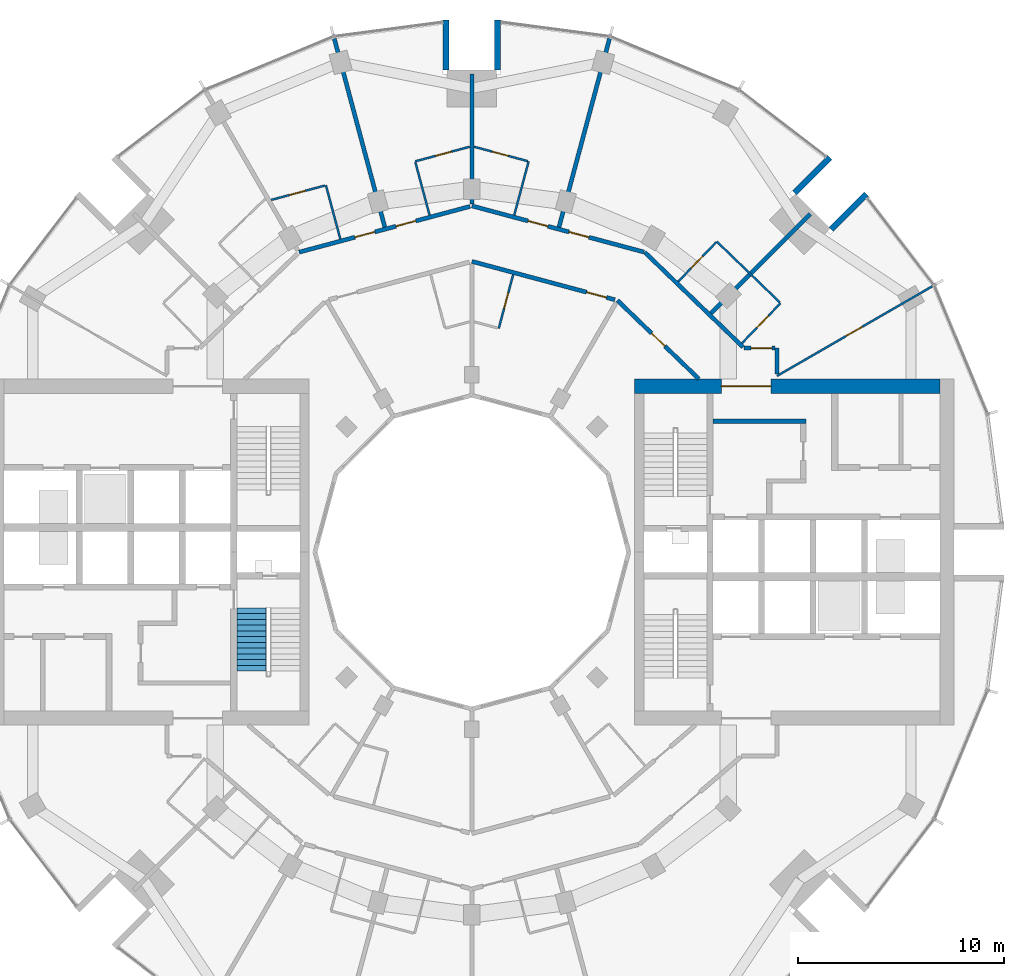
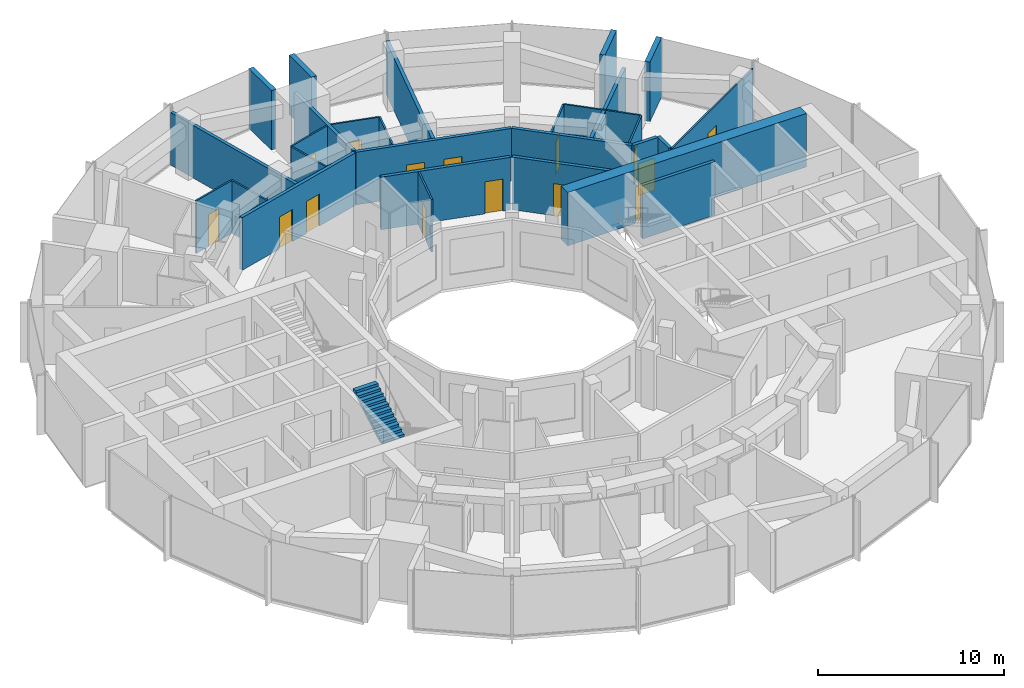
# One storey, part 12 of 15: 28 walls, 15 doors, 1 stair flight, 15 openings, 1 element without a shape of its own.
"""IFC4 building model written with IfcOpenShell, lengths in metres."""

from ifc_helpers import new_model, si_unit, direction, frame, frame_2d, origin, place, context, subcontext, project, spatial, polyline, rectangle, outline, extrude, material, layer, layer_set, type_object, element, fill, aggregate, save


model = new_model("IFC4")

# Units and contexts
model_context = context("Model", 3, precision=1e-05, world=origin(), true_north=direction((0.0, 1.0)))
body_context = subcontext(model_context, "Body", "Model", "MODEL_VIEW")
ifc_project = project(units=[si_unit("LENGTHUNIT", "METRE"), si_unit("AREAUNIT", "SQUARE_METRE"), si_unit("VOLUMEUNIT", "CUBIC_METRE"), si_unit("PLANEANGLEUNIT", "RADIAN"), si_unit("MASSUNIT", "GRAM", prefix="KILO")], contexts=[model_context])

# Site, building, storey
site_placement = place(None, origin())
site = spatial("IfcSite", under=ifc_project, at=site_placement, CompositionType="ELEMENT")
building_placement = place(site_placement, origin())
building = spatial("IfcBuilding", under=site, at=building_placement, Name="Torre Brocal", CompositionType="ELEMENT")
storey_placement = place(building_placement, frame((0.0, 0.0, 145.800048828125)))
storey = spatial("IfcBuildingStorey", under=building, at=storey_placement, Name="L34", CompositionType="ELEMENT", Elevation=145.800048828125)

# Wall
ifc_material_1 = material(Name="Concrete C70", Category="concrete")
ifc_layer_1 = layer(ifc_material_1, 0.199951171875)
ifc_layer_set_1 = layer_set([ifc_layer_1], Name="Concrete C70")
wall_type_1 = type_object("IfcWallType", Name="CORE WALL 200 C70 UNDER 400 SLAB", PredefinedType="SHEAR", material=ifc_layer_set_1)
wall_1_placement = place(storey_placement, frame((91.699951171875, 81.35009765625, 0.0), z_axis=(0.0, 0.0, 1.0), x_axis=(1.0, 0.0, 0.0)))
element("IfcWall", 1, at=wall_1_placement, inside=storey, type_object=wall_type_1, Name="Wall CW200-70-S400", PredefinedType="SHEAR", context=body_context, shape_type="SweptSolid", body=[
    extrude(rectangle(XDim=4.5, YDim=0.199951171875, at=frame_2d((2.25, 0.0))), origin(), (0.0, 0.0, 1.0), 3.5),
])

# Wall, opening, door
ifc_material_2 = material(Name="Concrete C70", Category="concrete")
ifc_layer_2 = layer(ifc_material_2, 0.699951171875)
ifc_layer_set_2 = layer_set([ifc_layer_2], Name="Concrete C70")
wall_type_2 = type_object("IfcWallType", Name="CORE WALL 700 C70 UNDER 400 SLAB", PredefinedType="SHEAR", material=ifc_layer_set_2)
wall_2_placement = place(storey_placement, frame((87.89990234375, 83.050048828125, 0.0), z_axis=(0.0, 0.0, 1.0), x_axis=(1.0, 0.0, 0.0)))
wall_2 = element("IfcWall", 2, at=wall_2_placement, inside=storey, type_object=wall_type_2, Name="Wall CW700-70-S400", PredefinedType="SHEAR", context=body_context, shape_type="SweptSolid", body=[
    extrude(rectangle(XDim=14.800048828125, YDim=0.699951171875, at=frame_2d((7.39990234375, 0.0))), origin(), (0.0, 0.0, 1.0), 3.5),
])
opening_1_placement = place(wall_2_placement, frame((4.199951171875, 0.0, 0.0)))
opening_1 = element("IfcOpeningElement", 3, at=opening_1_placement, cuts=wall_2, Name="Opening E-D24", PredefinedType="OPENING", context=body_context, shape_type="SweptSolid", body=[
    extrude(rectangle(XDim=2.39990234375, YDim=2.39990234375, at=frame_2d((1.199951171875, 1.199951171875))), frame((0.0, 0.35986328125, 0.0), z_axis=(0.0, -1.0, 0.0), x_axis=(1.0, 0.0, 0.0)), (0.0, 0.0, 1.0), 0.719970703125),
])
ifc_material_3 = material(Name="Steel A653", Category="steel")
door_type_1 = type_object("IfcDoorType", Name="DOUBLE FIRE DOOR FD90 2400X2400", OperationType="DOUBLE_DOOR_SINGLE_SWING", PredefinedType="DOOR", material=ifc_material_3)
door_1_placement = place(opening_1_placement, frame((2.39990234375, 0.0, 0.0), z_axis=(0.0, 0.0, 1.0), x_axis=(-1.0, 0.0, 0.0)))
door_1 = element("IfcDoor", 4, at=door_1_placement, inside=storey, type_object=door_type_1, Name="Door E-D24", OperationType="DOUBLE_DOOR_SINGLE_SWING", OverallHeight=2.39990234375, OverallWidth=2.39990234375, PredefinedType="DOOR", context=body_context, shape_type="SweptSolid", body=[
    extrude(rectangle(XDim=2.39990234375, YDim=2.39990234375, at=frame_2d((1.199951171875, 1.199951171875))), frame((0.0, 0.02490234375, 0.0), z_axis=(0.0, -1.0, 0.0), x_axis=(1.0, 0.0, 0.0)), (0.0, 0.0, 1.0), 0.050048828125),
])
fill(opening_1, door_1)

# Walls
ifc_material_4 = material(Name="Concrete C70", Category="concrete")
ifc_layer_3 = layer(ifc_material_4, 0.300048828125)
ifc_layer_set_3 = layer_set([ifc_layer_3], Name="Concrete C70")
wall_type_3 = type_object("IfcWallType", Name="NOTCH RETURN WALL 300 C70", PredefinedType="NOTDEFINED", material=ifc_layer_set_3)
for number, where, z_axis, x_axis, name in (
    (5, (97.43017578125, 90.662353515625, 0.0), (0.0, 0.0, 1.0), (0.707106781187, 0.707106781187, 0.0), "NOTCH RETURN WALL"),
    (6, (95.662353515625, 92.43017578125, 0.0), (0.0, 0.0, 1.0), (0.707106781187, 0.707106781187, 0.0), "NOTCH RETURN WALL"),
    (7, (81.25, 98.39990234375, 0.0), (0.0, 0.0, 1.0), (0.0, 1.0, 0.0), "NOTCH RETURN WALL"),
    (8, (78.75, 98.39990234375, 0.0), (0.0, 0.0, 1.0), (0.0, 1.0, 0.0), "NOTCH RETURN WALL"),
):
    element("IfcWall", number, at=place(storey_placement, frame(where, z_axis=z_axis, x_axis=x_axis)), inside=storey, type_object=wall_type_3, Name=name, PredefinedType="NOTDEFINED", context=body_context, shape_type="SweptSolid", body=[
        extrude(rectangle(XDim=2.415771484375, YDim=0.300048828125, at=frame_2d((1.2080078125, 0.0))), origin(), (0.0, 0.0, 1.0), 3.89990234375),
    ])

# Wall, opening, door
ifc_material_5 = material(Name="Gypsum board", Category="Gypsum")
ifc_layer_4 = layer(ifc_material_5, 0.10009765625)
ifc_layer_set_4 = layer_set([ifc_layer_4], Name="Gypsum board")
wall_type_4 = type_object("IfcWallType", Name="PARTITION 100", PredefinedType="PARTITIONING", material=ifc_layer_set_4)
wall_3_placement = place(storey_placement, frame((70.267822265625, 92.087158203125, 0.0), z_axis=(0.0, 0.0, 1.0), x_axis=(0.965937937835, 0.258773839966, 0.0)))
wall_3 = element("IfcWall", 9, at=wall_3_placement, inside=storey, type_object=wall_type_4, Name="BATHROOM WALL", PredefinedType="PARTITIONING", context=body_context, shape_type="SweptSolid", body=[
    extrude(rectangle(XDim=2.693603515625, YDim=0.10009765625, at=frame_2d((1.3466796875, 0.0))), origin(), (0.0, 0.0, 1.0), 3.449951171875),
])
opening_2_placement = place(wall_3_placement, frame((0.911865234375, 0.0, 0.0)))
opening_2 = element("IfcOpeningElement", 10, at=opening_2_placement, cuts=wall_3, Name="Opening E03-D11", PredefinedType="OPENING", context=body_context, shape_type="SweptSolid", body=[
    extrude(rectangle(XDim=0.800048828125, YDim=2.10009765625, at=frame_2d((0.39990234375, 1.050048828125))), frame((0.0, 0.06005859375, 0.0), z_axis=(0.0, -1.0, 0.0), x_axis=(1.0, 0.0, 0.0)), (0.0, 0.0, 1.0), 0.1201171875),
])
ifc_material_6 = material(Name="Timber", Category="wood")
door_type_2 = type_object("IfcDoorType", Name="BATHROOM DOOR 800X2100", OperationType="SINGLE_SWING_LEFT", PredefinedType="DOOR", material=ifc_material_6)
door_2_placement = place(opening_2_placement, frame((0.800048828125, 0.0, 0.0), z_axis=(0.0, 0.0, 1.0), x_axis=(-1.0, 0.0, 0.0)))
door_2 = element("IfcDoor", 11, at=door_2_placement, inside=storey, type_object=door_type_2, Name="E03-D11", OperationType="SINGLE_SWING_RIGHT", OverallHeight=2.10009765625, OverallWidth=0.800048828125, PredefinedType="DOOR", context=body_context, shape_type="SweptSolid", body=[
    extrude(rectangle(XDim=0.800048828125, YDim=2.10009765625, at=frame_2d((0.39990234375, 1.050048828125))), frame((0.0, 0.02490234375, 0.0), z_axis=(0.0, -1.0, 0.0), x_axis=(1.0, 0.0, 0.0)), (0.0, 0.0, 1.0), 0.050048828125),
])
fill(opening_2, door_2)

# Walls
wall_4_placement = place(storey_placement, frame((72.91796875, 92.797119140625, 0.0), z_axis=(0.0, 0.0, 1.0), x_axis=(0.25867580527, -0.965964195904, 0.0)))
element("IfcWall", 12, at=wall_4_placement, inside=storey, type_object=wall_type_4, Name="BATHROOM WALL", PredefinedType="PARTITIONING", context=body_context, shape_type="SweptSolid", body=[
    extrude(rectangle(XDim=2.69921875, YDim=0.10009765625, at=frame_2d((1.349609375, 0.0))), origin(), (0.0, 0.0, 1.0), 3.449951171875),
])
wall_5_placement = place(storey_placement, frame((77.260009765625, 93.90869140625, 0.0), z_axis=(0.0, 0.0, 1.0), x_axis=(0.258935674139, -0.965894568086, 0.0)))
element("IfcWall", 13, at=wall_5_placement, inside=storey, type_object=wall_type_4, Name="BATHROOM WALL", PredefinedType="PARTITIONING", context=body_context, shape_type="SweptSolid", body=[
    extrude(rectangle(XDim=2.6494140625, YDim=0.10009765625, at=frame_2d((1.32470703125, 0.0))), origin(), (0.0, 0.0, 1.0), 3.449951171875),
])

# Wall, opening, door
wall_6_placement = place(storey_placement, frame((77.2470703125, 93.956787109375, 0.0), z_axis=(0.0, 0.0, 1.0), x_axis=(0.965922199757, 0.258832579125, 0.0)))
wall_6 = element("IfcWall", 14, at=wall_6_placement, inside=storey, type_object=wall_type_4, Name="BATHROOM WALL", PredefinedType="PARTITIONING", context=body_context, shape_type="SweptSolid", body=[
    extrude(rectangle(XDim=2.739990234375, YDim=0.10009765625, at=frame_2d((1.3701171875, 0.0))), origin(), (0.0, 0.0, 1.0), 3.449951171875),
])
opening_3_placement = place(wall_6_placement, frame((1.025146484375, 0.0, 0.0)))
opening_3 = element("IfcOpeningElement", 15, at=opening_3_placement, cuts=wall_6, Name="Opening E03-D09", PredefinedType="OPENING", context=body_context, shape_type="SweptSolid", body=[
    extrude(rectangle(XDim=0.800048828125, YDim=2.10009765625, at=frame_2d((0.39990234375, 1.050048828125))), frame((0.0, 0.06005859375, 0.0), z_axis=(0.0, -1.0, 0.0), x_axis=(1.0, 0.0, 0.0)), (0.0, 0.0, 1.0), 0.1201171875),
])
door_3_placement = place(opening_3_placement, frame((0.800048828125, 0.0, 0.0), z_axis=(0.0, 0.0, 1.0), x_axis=(-1.0, 0.0, 0.0)))
door_3 = element("IfcDoor", 16, at=door_3_placement, inside=storey, type_object=door_type_2, Name="E03-D09", OperationType="SINGLE_SWING_LEFT", OverallHeight=2.10009765625, OverallWidth=0.800048828125, PredefinedType="DOOR", context=body_context, shape_type="SweptSolid", body=[
    extrude(rectangle(XDim=0.800048828125, YDim=2.10009765625, at=frame_2d((0.39990234375, 1.050048828125))), frame((0.0, 0.02490234375, 0.0), z_axis=(0.0, -1.0, 0.0), x_axis=(1.0, 0.0, 0.0)), (0.0, 0.0, 1.0), 0.050048828125),
])
fill(opening_3, door_3)

wall_7_placement = place(storey_placement, frame((80.106201171875, 94.66650390625, 0.0), z_axis=(0.0, 0.0, 1.0), x_axis=(0.96589821458, -0.258922071427, 0.0)))
wall_7 = element("IfcWall", 17, at=wall_7_placement, inside=storey, type_object=wall_type_4, Name="BATHROOM WALL", PredefinedType="PARTITIONING", context=body_context, shape_type="SweptSolid", body=[
    extrude(rectangle(XDim=2.690185546875, YDim=0.10009765625, at=frame_2d((1.34521484375, 0.0))), origin(), (0.0, 0.0, 1.0), 3.449951171875),
])
opening_4_placement = place(wall_7_placement, frame((0.9150390625, 0.0, 0.0)))
opening_4 = element("IfcOpeningElement", 18, at=opening_4_placement, cuts=wall_7, Name="Opening E03-D07", PredefinedType="OPENING", context=body_context, shape_type="SweptSolid", body=[
    extrude(rectangle(XDim=0.800048828125, YDim=2.10009765625, at=frame_2d((0.39990234375, 1.050048828125))), frame((0.0, 0.06005859375, 0.0), z_axis=(0.0, -1.0, 0.0), x_axis=(1.0, 0.0, 0.0)), (0.0, 0.0, 1.0), 0.1201171875),
])
door_4_placement = place(opening_4_placement, frame((0.800048828125, 0.0, 0.0), z_axis=(0.0, 0.0, 1.0), x_axis=(-1.0, 0.0, 0.0)))
door_4 = element("IfcDoor", 19, at=door_4_placement, inside=storey, type_object=door_type_2, Name="E03-D07", OperationType="SINGLE_SWING_RIGHT", OverallHeight=2.10009765625, OverallWidth=0.800048828125, PredefinedType="DOOR", context=body_context, shape_type="SweptSolid", body=[
    extrude(rectangle(XDim=0.800048828125, YDim=2.10009765625, at=frame_2d((0.39990234375, 1.050048828125))), frame((0.0, 0.02490234375, 0.0), z_axis=(0.0, -1.0, 0.0), x_axis=(1.0, 0.0, 0.0)), (0.0, 0.0, 1.0), 0.050048828125),
])
fill(opening_4, door_4)

wall_8_placement = place(storey_placement, frame((81.303955078125, 85.85595703125, 0.0), z_axis=(0.0, 0.0, 1.0), x_axis=(0.25867580527, 0.965964195904, 0.0)))
wall_8 = element("IfcWall", 20, at=wall_8_placement, inside=storey, type_object=wall_type_4, Name="BATHROOM WALL", PredefinedType="PARTITIONING", context=body_context, shape_type="SweptSolid", body=[
    extrude(rectangle(XDim=2.69921875, YDim=0.10009765625, at=frame_2d((1.349609375, 0.0))), origin(), (0.0, 0.0, 1.0), 3.449951171875),
])
opening_5_placement = place(wall_8_placement, frame((0.99951171875, 0.0, 0.0)))
opening_5 = element("IfcOpeningElement", 21, at=opening_5_placement, cuts=wall_8, Name="Opening E03-D19", PredefinedType="OPENING", context=body_context, shape_type="SweptSolid", body=[
    extrude(rectangle(XDim=0.800048828125, YDim=2.10009765625, at=frame_2d((0.39990234375, 1.050048828125))), frame((0.0, 0.06005859375, 0.0), z_axis=(0.0, -1.0, 0.0), x_axis=(1.0, 0.0, 0.0)), (0.0, 0.0, 1.0), 0.1201171875),
])
door_5_placement = place(opening_5_placement, origin())
door_5 = element("IfcDoor", 22, at=door_5_placement, inside=storey, type_object=door_type_2, Name="E03-D19", OperationType="SINGLE_SWING_RIGHT", OverallHeight=2.10009765625, OverallWidth=0.800048828125, PredefinedType="DOOR", context=body_context, shape_type="SweptSolid", body=[
    extrude(rectangle(XDim=0.800048828125, YDim=2.10009765625, at=frame_2d((0.39990234375, 1.050048828125))), frame((0.0, 0.02490234375, 0.0), z_axis=(0.0, -1.0, 0.0), x_axis=(1.0, 0.0, 0.0)), (0.0, 0.0, 1.0), 0.050048828125),
])
fill(opening_5, door_5)

# Wall
wall_9_placement = place(storey_placement, frame((82.053955078125, 91.349609375, 0.0), z_axis=(0.0, 0.0, 1.0), x_axis=(0.258928960762, 0.965896367774, 0.0)))
element("IfcWall", 23, at=wall_9_placement, inside=storey, type_object=wall_type_4, Name="BATHROOM WALL", PredefinedType="PARTITIONING", context=body_context, shape_type="SweptSolid", body=[
    extrude(rectangle(XDim=2.699462890625, YDim=0.10009765625, at=frame_2d((1.349609375, 0.0))), origin(), (0.0, 0.0, 1.0), 3.449951171875),
])

# Wall, opening, door
wall_10_placement = place(storey_placement, frame((90.00830078125, 88.123046875, 0.0), z_axis=(0.0, 0.0, 1.0), x_axis=(0.694372521817, 0.719615731447, 0.0)))
wall_10 = element("IfcWall", 24, at=wall_10_placement, inside=storey, type_object=wall_type_4, Name="BATHROOM WALL", PredefinedType="PARTITIONING", context=body_context, shape_type="SweptSolid", body=[
    extrude(rectangle(XDim=2.64990234375, YDim=0.10009765625, at=frame_2d((1.324951171875, 0.0))), origin(), (0.0, 0.0, 1.0), 3.449951171875),
])
opening_6_placement = place(wall_10_placement, frame((0.89990234375, 0.0, 0.0)))
opening_6 = element("IfcOpeningElement", 25, at=opening_6_placement, cuts=wall_10, Name="Opening E03-D05", PredefinedType="OPENING", context=body_context, shape_type="SweptSolid", body=[
    extrude(rectangle(XDim=0.800048828125, YDim=2.10009765625, at=frame_2d((0.39990234375, 1.050048828125))), frame((0.0, 0.06005859375, 0.0), z_axis=(0.0, -1.0, 0.0), x_axis=(1.0, 0.0, 0.0)), (0.0, 0.0, 1.0), 0.1201171875),
])
door_6_placement = place(opening_6_placement, frame((0.800048828125, 0.0, 0.0), z_axis=(0.0, 0.0, 1.0), x_axis=(-1.0, 0.0, 0.0)))
door_6 = element("IfcDoor", 26, at=door_6_placement, inside=storey, type_object=door_type_2, Name="E03-D05", OperationType="SINGLE_SWING_RIGHT", OverallHeight=2.10009765625, OverallWidth=0.800048828125, PredefinedType="DOOR", context=body_context, shape_type="SweptSolid", body=[
    extrude(rectangle(XDim=0.800048828125, YDim=2.10009765625, at=frame_2d((0.39990234375, 1.050048828125))), frame((0.0, 0.02490234375, 0.0), z_axis=(0.0, -1.0, 0.0), x_axis=(1.0, 0.0, 0.0)), (0.0, 0.0, 1.0), 0.050048828125),
])
fill(opening_6, door_6)

# Wall
wall_11_placement = place(storey_placement, frame((91.8828125, 90.065673828125, 0.0), z_axis=(0.0, 0.0, 1.0), x_axis=(0.719460839421, -0.694533008963, 0.0)))
element("IfcWall", 27, at=wall_11_placement, inside=storey, type_object=wall_type_4, Name="BATHROOM WALL", PredefinedType="PARTITIONING", context=body_context, shape_type="SweptSolid", body=[
    extrude(rectangle(XDim=4.25048828125, YDim=0.10009765625, at=frame_2d((2.125244140625, 0.0))), origin(), (0.0, 0.0, 1.0), 3.449951171875),
])

# Wall, opening, door
wall_12_placement = place(storey_placement, frame((93.1025390625, 85.135986328125, 0.0), z_axis=(0.0, 0.0, 1.0), x_axis=(0.694287838235, 0.719697434815, 0.0)))
wall_12 = element("IfcWall", 28, at=wall_12_placement, inside=storey, type_object=wall_type_4, Name="BATHROOM WALL", PredefinedType="PARTITIONING", context=body_context, shape_type="SweptSolid", body=[
    extrude(rectangle(XDim=2.699951171875, YDim=0.10009765625, at=frame_2d((1.35009765625, 0.0))), origin(), (0.0, 0.0, 1.0), 3.449951171875),
])
opening_7_placement = place(wall_12_placement, frame((1.0498046875, 0.0, 0.0)))
opening_7 = element("IfcOpeningElement", 29, at=opening_7_placement, cuts=wall_12, Name="Opening E03-D02", PredefinedType="OPENING", context=body_context, shape_type="SweptSolid", body=[
    extrude(rectangle(XDim=0.800048828125, YDim=2.10009765625, at=frame_2d((0.39990234375, 1.050048828125))), frame((0.0, 0.06005859375, 0.0), z_axis=(0.0, -1.0, 0.0), x_axis=(1.0, 0.0, 0.0)), (0.0, 0.0, 1.0), 0.1201171875),
])
door_7_placement = place(opening_7_placement, origin())
door_7 = element("IfcDoor", 30, at=door_7_placement, inside=storey, type_object=door_type_2, Name="E03-D02", OperationType="SINGLE_SWING_RIGHT", OverallHeight=2.10009765625, OverallWidth=0.800048828125, PredefinedType="DOOR", context=body_context, shape_type="SweptSolid", body=[
    extrude(rectangle(XDim=0.800048828125, YDim=2.10009765625, at=frame_2d((0.39990234375, 1.050048828125))), frame((0.0, 0.02490234375, 0.0), z_axis=(0.0, -1.0, 0.0), x_axis=(1.0, 0.0, 0.0)), (0.0, 0.0, 1.0), 0.050048828125),
])
fill(opening_7, door_7)

wall_13_placement = place(storey_placement, frame((94.800048828125, 83.544921875, 0.0), z_axis=(0.0, 0.0, 1.0), x_axis=(0.86602264145, 0.500004784474, 0.0)))
wall_13 = element("IfcWall", 31, at=wall_13_placement, inside=storey, type_object=wall_type_4, Name="ROOM PARTITION", PredefinedType="PARTITIONING", context=body_context, shape_type="SweptSolid", body=[
    extrude(rectangle(XDim=8.7080078125, YDim=0.10009765625, at=frame_2d((4.35400390625, 0.0))), origin(), (0.0, 0.0, 1.0), 3.449951171875),
])
opening_8_placement = place(wall_13_placement, frame((3.87890625, 0.0, 0.0)))
opening_8 = element("IfcOpeningElement", 32, at=opening_8_placement, cuts=wall_13, Name="Opening E03-D03", PredefinedType="OPENING", context=body_context, shape_type="SweptSolid", body=[
    extrude(rectangle(XDim=0.89990234375, YDim=2.10009765625, at=frame_2d((0.449951171875, 1.050048828125))), frame((0.0, 0.06005859375, 0.0), z_axis=(0.0, -1.0, 0.0), x_axis=(1.0, 0.0, 0.0)), (0.0, 0.0, 1.0), 0.1201171875),
])
ifc_material_7 = material(Name="Timber", Category="wood")
door_type_3 = type_object("IfcDoorType", Name="ROOM DOOR 900X2100", OperationType="SINGLE_SWING_LEFT", PredefinedType="DOOR", material=ifc_material_7)
door_8_placement = place(opening_8_placement, frame((0.89990234375, 0.0, 0.0), z_axis=(0.0, 0.0, 1.0), x_axis=(-1.0, 0.0, 0.0)))
door_8 = element("IfcDoor", 33, at=door_8_placement, inside=storey, type_object=door_type_3, Name="E03-D03", OperationType="SINGLE_SWING_RIGHT", OverallHeight=2.10009765625, OverallWidth=0.89990234375, PredefinedType="DOOR", context=body_context, shape_type="SweptSolid", body=[
    extrude(rectangle(XDim=0.89990234375, YDim=2.10009765625, at=frame_2d((0.449951171875, 1.050048828125))), frame((0.0, 0.02490234375, 0.0), z_axis=(0.0, -1.0, 0.0), x_axis=(1.0, 0.0, 0.0)), (0.0, 0.0, 1.0), 0.050048828125),
])
fill(opening_8, door_8)

# Wall, openings, doors
ifc_material_8 = material(Name="Gypsum board", Category="Gypsum")
ifc_layer_5 = layer(ifc_material_8, 0.199951171875)
ifc_layer_set_5 = layer_set([ifc_layer_5], Name="Gypsum board")
wall_type_5 = type_object("IfcWallType", Name="PARTITION 200 EI60", PredefinedType="PARTITIONING", material=ifc_layer_set_5)
wall_14_placement = place(storey_placement, frame((71.61376953125, 89.5498046875, 0.0), z_axis=(0.0, 0.0, 1.0), x_axis=(0.965982156828, 0.258608725086, 0.0)))
wall_14 = element("IfcWall", 34, at=wall_14_placement, inside=storey, type_object=wall_type_5, Name="GUESTROOM CORRIDOR WALL", PredefinedType="PARTITIONING", context=body_context, shape_type="SweptSolid", body=[
    extrude(rectangle(XDim=8.591796875, YDim=0.199951171875, at=frame_2d((4.2958984375, 0.0))), origin(), (0.0, 0.0, 1.0), 3.449951171875),
])
opening_9_placement = place(wall_14_placement, frame((4.864990234375, 0.0, 0.0)))
opening_9 = element("IfcOpeningElement", 35, at=opening_9_placement, cuts=wall_14, Name="Opening E03-D08", PredefinedType="OPENING", context=body_context, shape_type="SweptSolid", body=[
    extrude(rectangle(XDim=1.0, YDim=2.10009765625, at=frame_2d((0.5, 1.050048828125))), frame((0.0, 0.10986328125, 0.0), z_axis=(0.0, -1.0, 0.0), x_axis=(1.0, 0.0, 0.0)), (0.0, 0.0, 1.0), 0.219970703125),
])
opening_10_placement = place(wall_14_placement, frame((2.804443359375, 0.0, 0.0)))
opening_10 = element("IfcOpeningElement", 36, at=opening_10_placement, cuts=wall_14, Name="Opening E03-D10", PredefinedType="OPENING", context=body_context, shape_type="SweptSolid", body=[
    extrude(rectangle(XDim=1.0, YDim=2.10009765625, at=frame_2d((0.5, 1.050048828125))), frame((0.0, 0.10986328125, 0.0), z_axis=(0.0, -1.0, 0.0), x_axis=(1.0, 0.0, 0.0)), (0.0, 0.0, 1.0), 0.219970703125),
])
ifc_material_9 = material(Name="Timber", Category="wood")
door_type_4 = type_object("IfcDoorType", Name="FLAT ENTRY DOOR FD30S 1000X2100", OperationType="SINGLE_SWING_RIGHT", PredefinedType="DOOR", material=ifc_material_9)
door_9_placement = place(opening_9_placement, origin())
door_9 = element("IfcDoor", 37, at=door_9_placement, inside=storey, type_object=door_type_4, Name="E03-D08", OperationType="SINGLE_SWING_LEFT", OverallHeight=2.10009765625, OverallWidth=1.0, PredefinedType="DOOR", context=body_context, shape_type="SweptSolid", body=[
    extrude(rectangle(XDim=1.0, YDim=2.10009765625, at=frame_2d((0.5, 1.050048828125))), frame((0.0, 0.02490234375, 0.0), z_axis=(0.0, -1.0, 0.0), x_axis=(1.0, 0.0, 0.0)), (0.0, 0.0, 1.0), 0.050048828125),
])
fill(opening_9, door_9)
door_10_placement = place(opening_10_placement, origin())
door_10 = element("IfcDoor", 38, at=door_10_placement, inside=storey, type_object=door_type_4, Name="E03-D10", OperationType="SINGLE_SWING_RIGHT", OverallHeight=2.10009765625, OverallWidth=1.0, PredefinedType="DOOR", context=body_context, shape_type="SweptSolid", body=[
    extrude(rectangle(XDim=1.0, YDim=2.10009765625, at=frame_2d((0.5, 1.050048828125))), frame((0.0, 0.02490234375, 0.0), z_axis=(0.0, -1.0, 0.0), x_axis=(1.0, 0.0, 0.0)), (0.0, 0.0, 1.0), 0.050048828125),
])
fill(opening_10, door_10)

# Wall
wall_15_placement = place(storey_placement, frame((73.322998046875, 99.919189453125, 0.0), z_axis=(0.0, 0.0, 1.0), x_axis=(0.258817230439, -0.965926312525, 0.0)))
element("IfcWall", 39, at=wall_15_placement, inside=storey, type_object=wall_type_5, Name="PARTY PARTITION", PredefinedType="PARTITIONING", context=body_context, shape_type="SweptSolid", body=[
    extrude(rectangle(XDim=9.474365234375, YDim=0.199951171875, at=frame_2d((4.7373046875, 0.0))), origin(), (0.0, 0.0, 1.0), 3.449951171875),
])

# Wall, opening, door
wall_16_placement = place(storey_placement, frame((80.0, 89.10400390625, 0.0), z_axis=(0.0, 0.0, 1.0), x_axis=(0.965854247166, -0.25908603442, 0.0)))
wall_16 = element("IfcWall", 40, at=wall_16_placement, inside=storey, type_object=wall_type_5, Name="GUESTROOM CORRIDOR WALL", PredefinedType="PARTITIONING", context=body_context, shape_type="SweptSolid", body=[
    extrude(rectangle(XDim=7.183349609375, YDim=0.199951171875, at=frame_2d((3.591796875, 0.0))), origin(), (0.0, 0.0, 1.0), 3.449951171875),
])
opening_11_placement = place(wall_16_placement, frame((5.76318359375, 0.0, 0.0)))
opening_11 = element("IfcOpeningElement", 41, at=opening_11_placement, cuts=wall_16, Name="Opening E03-D18", PredefinedType="OPENING", context=body_context, shape_type="SweptSolid", body=[
    extrude(rectangle(XDim=1.0, YDim=2.10009765625, at=frame_2d((0.5, 1.050048828125))), frame((0.0, 0.10986328125, 0.0), z_axis=(0.0, -1.0, 0.0), x_axis=(1.0, 0.0, 0.0)), (0.0, 0.0, 1.0), 0.219970703125),
])
door_11_placement = place(opening_11_placement, frame((1.0, 0.0, 0.0), z_axis=(0.0, 0.0, 1.0), x_axis=(-1.0, 0.0, 0.0)))
door_11 = element("IfcDoor", 42, at=door_11_placement, inside=storey, type_object=door_type_4, Name="E03-D18", OperationType="SINGLE_SWING_LEFT", OverallHeight=2.10009765625, OverallWidth=1.0, PredefinedType="DOOR", context=body_context, shape_type="SweptSolid", body=[
    extrude(rectangle(XDim=1.0, YDim=2.10009765625, at=frame_2d((0.5, 1.050048828125))), frame((0.0, 0.02490234375, 0.0), z_axis=(0.0, -1.0, 0.0), x_axis=(1.0, 0.0, 0.0)), (0.0, 0.0, 1.0), 0.050048828125),
])
fill(opening_11, door_11)

# Wall
wall_17_placement = place(storey_placement, frame((80.0, 91.885986328125, 0.0), z_axis=(0.0, 0.0, 1.0), x_axis=(0.0, 1.0, 0.0)))
element("IfcWall", 43, at=wall_17_placement, inside=storey, type_object=wall_type_5, Name="BATHROOM WALL", PredefinedType="PARTITIONING", context=body_context, shape_type="SweptSolid", body=[
    extrude(rectangle(XDim=6.31396484375, YDim=0.199951171875, at=frame_2d((3.156982421875, 0.0))), origin(), (0.0, 0.0, 1.0), 3.449951171875),
])

# Wall, openings, doors
wall_18_placement = place(storey_placement, frame((80.0, 91.79638671875, 0.0), z_axis=(0.0, 0.0, 1.0), x_axis=(0.965891796243, -0.258946013582, 0.0)))
wall_18 = element("IfcWall", 44, at=wall_18_placement, inside=storey, type_object=wall_type_5, Name="GUESTROOM CORRIDOR WALL", PredefinedType="PARTITIONING", context=body_context, shape_type="SweptSolid", body=[
    extrude(rectangle(XDim=8.641845703125, YDim=0.199951171875, at=frame_2d((4.32080078125, 0.0))), origin(), (0.0, 0.0, 1.0), 3.449951171875),
])
opening_12_placement = place(wall_18_placement, frame((4.87744140625, 0.0, 0.0)))
opening_12 = element("IfcOpeningElement", 45, at=opening_12_placement, cuts=wall_18, Name="Opening E03-D04", PredefinedType="OPENING", context=body_context, shape_type="SweptSolid", body=[
    extrude(rectangle(XDim=1.0, YDim=2.10009765625, at=frame_2d((0.5, 1.050048828125))), frame((0.0, 0.10986328125, 0.0), z_axis=(0.0, -1.0, 0.0), x_axis=(1.0, 0.0, 0.0)), (0.0, 0.0, 1.0), 0.219970703125),
])
opening_13_placement = place(wall_18_placement, frame((2.816650390625, 0.0, 0.0)))
opening_13 = element("IfcOpeningElement", 46, at=opening_13_placement, cuts=wall_18, Name="Opening E03-D06", PredefinedType="OPENING", context=body_context, shape_type="SweptSolid", body=[
    extrude(rectangle(XDim=1.0, YDim=2.10009765625, at=frame_2d((0.5, 1.050048828125))), frame((0.0, 0.10986328125, 0.0), z_axis=(0.0, -1.0, 0.0), x_axis=(1.0, 0.0, 0.0)), (0.0, 0.0, 1.0), 0.219970703125),
])
door_12_placement = place(opening_12_placement, origin())
door_12 = element("IfcDoor", 47, at=door_12_placement, inside=storey, type_object=door_type_4, Name="E03-D04", OperationType="SINGLE_SWING_LEFT", OverallHeight=2.10009765625, OverallWidth=1.0, PredefinedType="DOOR", context=body_context, shape_type="SweptSolid", body=[
    extrude(rectangle(XDim=1.0, YDim=2.10009765625, at=frame_2d((0.5, 1.050048828125))), frame((0.0, 0.02490234375, 0.0), z_axis=(0.0, -1.0, 0.0), x_axis=(1.0, 0.0, 0.0)), (0.0, 0.0, 1.0), 0.050048828125),
])
fill(opening_12, door_12)
door_13_placement = place(opening_13_placement, origin())
door_13 = element("IfcDoor", 48, at=door_13_placement, inside=storey, type_object=door_type_4, Name="E03-D06", OperationType="SINGLE_SWING_RIGHT", OverallHeight=2.10009765625, OverallWidth=1.0, PredefinedType="DOOR", context=body_context, shape_type="SweptSolid", body=[
    extrude(rectangle(XDim=1.0, YDim=2.10009765625, at=frame_2d((0.5, 1.050048828125))), frame((0.0, 0.02490234375, 0.0), z_axis=(0.0, -1.0, 0.0), x_axis=(1.0, 0.0, 0.0)), (0.0, 0.0, 1.0), 0.050048828125),
])
fill(opening_13, door_13)

# Wall
wall_19_placement = place(storey_placement, frame((84.225830078125, 90.768310546875, 0.0), z_axis=(0.0, 0.0, 1.0), x_axis=(0.258891088655, 0.965906519398, 0.0)))
element("IfcWall", 49, at=wall_19_placement, inside=storey, type_object=wall_type_5, Name="PARTY PARTITION", PredefinedType="PARTITIONING", context=body_context, shape_type="SweptSolid", body=[
    extrude(rectangle(XDim=9.4736328125, YDim=0.199951171875, at=frame_2d((4.73681640625, 0.0))), origin(), (0.0, 0.0, 1.0), 3.449951171875),
])

# Wall, opening, door
wall_20_placement = place(storey_placement, frame((87.06396484375, 87.2109375, 0.0), z_axis=(0.0, 0.0, 1.0), x_axis=(0.719562412484, -0.694427774891, 0.0)))
wall_20 = element("IfcWall", 50, at=wall_20_placement, inside=storey, type_object=wall_type_5, Name="CORRIDOR WALL", PredefinedType="PARTITIONING", context=body_context, shape_type="SweptSolid", body=[
    extrude(rectangle(XDim=5.488037109375, YDim=0.199951171875, at=frame_2d((2.744140625, 0.0))), origin(), (0.0, 0.0, 1.0), 3.449951171875),
])
opening_14_placement = place(wall_20_placement, frame((2.2939453125, 0.0, 0.0)))
opening_14 = element("IfcOpeningElement", 51, at=opening_14_placement, cuts=wall_20, Name="Opening E03-D17", PredefinedType="OPENING", context=body_context, shape_type="SweptSolid", body=[
    extrude(rectangle(XDim=0.89990234375, YDim=2.10009765625, at=frame_2d((0.449951171875, 1.050048828125))), frame((0.0, 0.10986328125, 0.0), z_axis=(0.0, -1.0, 0.0), x_axis=(1.0, 0.0, 0.0)), (0.0, 0.0, 1.0), 0.219970703125),
])
door_14_placement = place(opening_14_placement, frame((0.89990234375, 0.0, 0.0), z_axis=(0.0, 0.0, 1.0), x_axis=(-1.0, 0.0, 0.0)))
door_14 = element("IfcDoor", 52, at=door_14_placement, inside=storey, type_object=door_type_3, Name="E03-D17", OperationType="SINGLE_SWING_LEFT", OverallHeight=2.10009765625, OverallWidth=0.89990234375, PredefinedType="DOOR", context=body_context, shape_type="SweptSolid", body=[
    extrude(rectangle(XDim=0.89990234375, YDim=2.10009765625, at=frame_2d((0.449951171875, 1.050048828125))), frame((0.0, 0.02490234375, 0.0), z_axis=(0.0, -1.0, 0.0), x_axis=(1.0, 0.0, 0.0)), (0.0, 0.0, 1.0), 0.050048828125),
])
fill(opening_14, door_14)

# Walls
wall_21_placement = place(storey_placement, frame((88.385986328125, 89.549072265625, 0.0), z_axis=(0.0, 0.0, 1.0), x_axis=(0.719507339337, -0.694484836869, 0.0)))
element("IfcWall", 53, at=wall_21_placement, inside=storey, type_object=wall_type_5, Name="GUESTROOM CORRIDOR WALL", PredefinedType="PARTITIONING", context=body_context, shape_type="SweptSolid", body=[
    extrude(rectangle(XDim=6.634765625, YDim=0.199951171875, at=frame_2d((3.3173828125, 0.0))), origin(), (0.0, 0.0, 1.0), 3.449951171875),
])
wall_22_placement = place(storey_placement, frame((91.594970703125, 86.5908203125, 0.0), z_axis=(0.0, 0.0, 1.0), x_axis=(0.707214399597, 0.706999146394, 0.0)))
element("IfcWall", 54, at=wall_22_placement, inside=storey, type_object=wall_type_5, Name="BATHROOM WALL", PredefinedType="PARTITIONING", context=body_context, shape_type="SweptSolid", body=[
    extrude(rectangle(XDim=6.80517578125, YDim=0.199951171875, at=frame_2d((3.402587890625, 0.0))), origin(), (0.0, 0.0, 1.0), 3.449951171875),
])

# Wall, opening, door
wall_23_placement = place(storey_placement, frame((93.202880859375, 84.89990234375, 0.0), z_axis=(0.0, 0.0, 1.0), x_axis=(1.0, 0.0, 0.0)))
wall_23 = element("IfcWall", 55, at=wall_23_placement, inside=storey, type_object=wall_type_5, Name="GUESTROOM CORRIDOR WALL", PredefinedType="PARTITIONING", context=body_context, shape_type="SweptSolid", body=[
    extrude(rectangle(XDim=1.4970703125, YDim=0.199951171875, at=frame_2d((0.74853515625, 0.0))), origin(), (0.0, 0.0, 1.0), 3.449951171875),
])
opening_15_placement = place(wall_23_placement, frame((0.346923828125, 0.0, 0.0)))
opening_15 = element("IfcOpeningElement", 56, at=opening_15_placement, cuts=wall_23, Name="Opening E03-D01", PredefinedType="OPENING", context=body_context, shape_type="SweptSolid", body=[
    extrude(rectangle(XDim=1.0, YDim=2.10009765625, at=frame_2d((0.5, 1.050048828125))), frame((0.0, 0.10986328125, 0.0), z_axis=(0.0, -1.0, 0.0), x_axis=(1.0, 0.0, 0.0)), (0.0, 0.0, 1.0), 0.219970703125),
])
door_15_placement = place(opening_15_placement, origin())
door_15 = element("IfcDoor", 57, at=door_15_placement, inside=storey, type_object=door_type_4, Name="E03-D01", OperationType="SINGLE_SWING_RIGHT", OverallHeight=2.10009765625, OverallWidth=1.0, PredefinedType="DOOR", context=body_context, shape_type="SweptSolid", body=[
    extrude(rectangle(XDim=1.0, YDim=2.10009765625, at=frame_2d((0.5, 1.050048828125))), frame((0.0, 0.02490234375, 0.0), z_axis=(0.0, -1.0, 0.0), x_axis=(1.0, 0.0, 0.0)), (0.0, 0.0, 1.0), 0.050048828125),
])
fill(opening_15, door_15)

# Wall
wall_24_placement = place(storey_placement, frame((94.800048828125, 83.64990234375, 0.0), z_axis=(0.0, 0.0, 1.0), x_axis=(0.0, 1.0, 0.0)))
element("IfcWall", 58, at=wall_24_placement, inside=storey, type_object=wall_type_5, Name="GUESTROOM CORRIDOR WALL", PredefinedType="PARTITIONING", context=body_context, shape_type="SweptSolid", body=[
    extrude(rectangle(XDim=1.25, YDim=0.199951171875, at=frame_2d((0.625, 0.0))), origin(), (0.0, 0.0, 1.0), 3.449951171875),
])

# Stair, stair flight
ifc_material_10 = material(Name="Concrete C50", Category="concrete")
stair_type = type_object("IfcStairType", Name="EXIT STAIR", PredefinedType="HALF_TURN_STAIR", material=ifc_material_10)
stair_placement = place(storey_placement, origin())
stair = element("IfcStair", 59, at=stair_placement, inside=storey, type_object=stair_type, Name="EXIT STAIR ST3", PredefinedType="HALF_TURN_STAIR")
ifc_material_11 = material(Name="Concrete C50", Category="concrete")
ifc_layer_6 = layer(ifc_material_11, 0.14990234375)
ifc_layer_set_6 = layer_set([ifc_layer_6], Name="Concrete C50")
stair_flight_type = type_object("IfcStairFlightType", Name="STAIR FLIGHT", PredefinedType="STRAIGHT", material=ifc_layer_set_6)
stair_flight_placement = place(storey_placement, frame((69.300048828125, 69.219970703125, 1.949951171875), z_axis=(0.0, 0.0, 1.0), x_axis=(0.0, 1.0, 0.0)))
stair_flight = element("IfcStairFlight", 60, at=stair_flight_placement, type_object=stair_flight_type, Name="ST3 flight 2", NumberOfRisers=12, NumberOfTreads=11, PredefinedType="STRAIGHT", RiserHeight=0.1625, TreadLength=0.28, context=body_context, shape_type="SweptSolid", body=[
    extrude(outline(polyline([(0.0, 0.0), (0.0, 0.16259765625), (0.280029296875, 0.16259765625), (0.280029296875, 0.324951171875), (0.56005859375, 0.324951171875), (0.56005859375, 0.487548828125), (0.840087890625, 0.487548828125), (0.840087890625, 0.64990234375), (1.1201171875, 0.64990234375), (1.1201171875, 0.8125), (1.39990234375, 0.8125), (1.39990234375, 0.97509765625), (1.679931640625, 0.97509765625), (1.679931640625, 1.137451171875), (1.9599609375, 1.137451171875), (1.9599609375, 1.300048828125), (2.239990234375, 1.300048828125), (2.239990234375, 1.46240234375), (2.52001953125, 1.46240234375), (2.52001953125, 1.625), (2.800048828125, 1.625), (2.800048828125, 1.78759765625), (3.080078125, 1.78759765625), (3.080078125, 1.949951171875), (3.080078125, 1.6142578125), (0.298583984375, 0.0), (0.0, 0.0)])), frame((0.0, 0.699951171875, 0.0), z_axis=(0.0, -1.0, 0.0), x_axis=(1.0, 0.0, 0.0)), (0.0, 0.0, 1.0), 1.39990234375),
])
aggregate(stair, [stair_flight])

save(model, "model.ifc")
